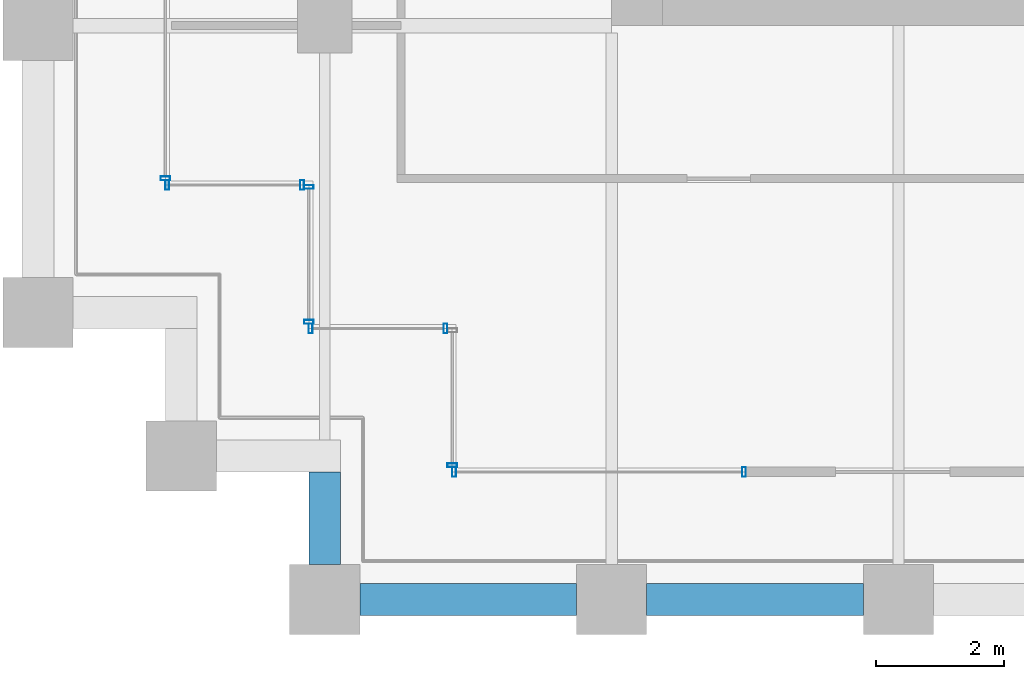
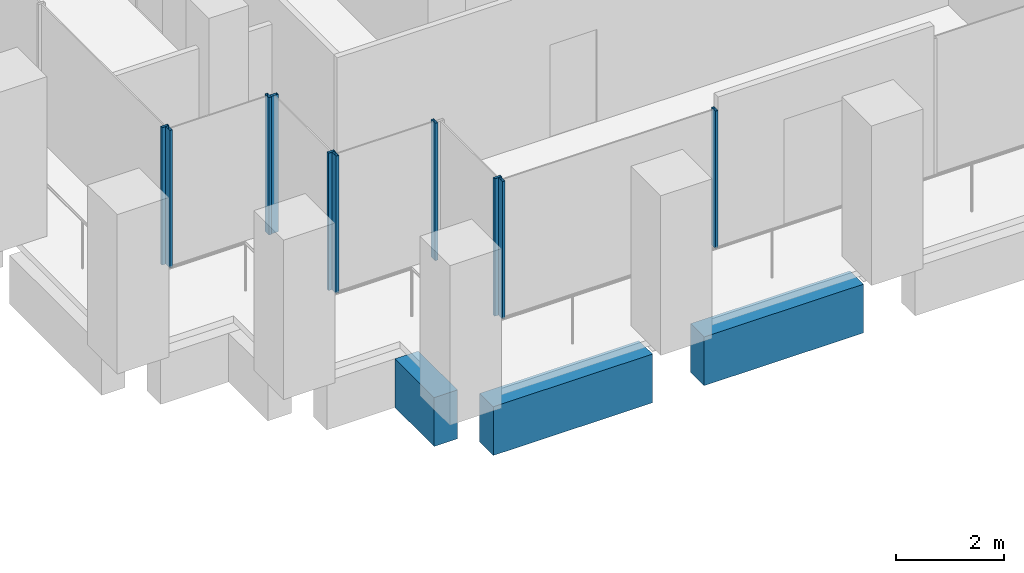
# One storey, part 34 of 56: 10 members, 3 beams, 6 elements without a shape of their own.
"""IFC4 building model written with IfcOpenShell, lengths in metres."""

from ifc_helpers import new_model, si_unit, direction, frame, origin, origin_2d, place, context, subcontext, project, spatial, rectangle, hollow_rectangle, extrude, material, material_profile, profile_set, type_object, element, aggregate, save


model = new_model("IFC4")

# Units and contexts
model_context = context("Model", 3, precision=1e-05, world=origin(), true_north=direction((0.0, 1.0)))
body_context = subcontext(model_context, "Body", "Model", "MODEL_VIEW")
ifc_project = project(units=[si_unit("LENGTHUNIT", "METRE"), si_unit("AREAUNIT", "SQUARE_METRE"), si_unit("VOLUMEUNIT", "CUBIC_METRE"), si_unit("PLANEANGLEUNIT", "RADIAN"), si_unit("MASSUNIT", "GRAM", prefix="KILO")], contexts=[model_context])

# Site, building, storey
site_placement = place(None, origin())
site = spatial("IfcSite", under=ifc_project, at=site_placement, CompositionType="ELEMENT")
building_placement = place(site_placement, origin())
building = spatial("IfcBuilding", under=site, at=building_placement, Name="Altepetl Exchange Towers", CompositionType="ELEMENT")
storey_placement = place(building_placement, frame((0.0, 0.0, 83.39990234375)))
storey = spatial("IfcBuildingStorey", under=building, at=storey_placement, Name="L20", CompositionType="ELEMENT", Elevation=83.39990234375)

# Curtain wall, member
ifc_material_1 = material(Name="Aluminium 6063-T6 glazing", Category="aluminium")
curtain_wall_type = type_object("IfcCurtainWallType", Name="Loggia glazing system", PredefinedType="NOTDEFINED", material=ifc_material_1)
curtain_wall_1_placement = place(storey_placement, origin())
curtain_wall_1 = element("IfcCurtainWall", 1, at=curtain_wall_1_placement, inside=storey, type_object=curtain_wall_type, Name="CW1 run", PredefinedType="NOTDEFINED")
ifc_material_2 = material(Name="Aluminium 6063-T6", Category="aluminium")
ifc_material_profile_1 = material_profile(ifc_material_2, hollow_rectangle(XDim=0.06005859375, YDim=0.14990234375, WallThickness=0.0029296875, at=origin_2d()), Name="Mullion 60x150 aluminium")
ifc_profile_set_1 = profile_set([ifc_material_profile_1], Name="Aluminium 6063-T6")
member_type = type_object("IfcMemberType", Name="Mullion 60x150 aluminium", PredefinedType="MULLION", material=ifc_profile_set_1)
member_1_placement = place(storey_placement, frame((96.5, 33.60498046875, 0.0), z_axis=(0.0, 0.0, 1.0), x_axis=(0.0, -1.0, 0.0)))
member_1 = element("IfcMember", 2, at=member_1_placement, type_object=member_type, Name="MU1 mullion", PredefinedType="MULLION", context=body_context, shape_type="SweptSolid", body=[
    extrude(hollow_rectangle(XDim=0.06005859375, YDim=0.14990234375, WallThickness=0.0029296875, at=origin_2d()), origin(), (0.0, 0.0, 1.0), 3.10009765625),
])
aggregate(curtain_wall_1, [member_1])

# Curtain wall, members
curtain_wall_2_placement = place(storey_placement, origin())
curtain_wall_2 = element("IfcCurtainWall", 3, at=curtain_wall_2_placement, inside=storey, type_object=curtain_wall_type, Name="CW1 run", PredefinedType="NOTDEFINED")
member_2_placement = place(storey_placement, frame((96.530029296875, 33.5, 0.0)))
member_2 = element("IfcMember", 4, at=member_2_placement, type_object=member_type, Name="MU1 mullion", PredefinedType="MULLION", context=body_context, shape_type="SweptSolid", body=[
    extrude(hollow_rectangle(XDim=0.06005859375, YDim=0.14990234375, WallThickness=0.0029296875, at=origin_2d()), origin(), (0.0, 0.0, 1.0), 3.10009765625),
])
member_3_placement = place(storey_placement, frame((98.64501953125, 33.5, 0.0)))
member_3 = element("IfcMember", 5, at=member_3_placement, type_object=member_type, Name="MU1 mullion", PredefinedType="MULLION", context=body_context, shape_type="SweptSolid", body=[
    extrude(hollow_rectangle(XDim=0.06005859375, YDim=0.14990234375, WallThickness=0.0029296875, at=origin_2d()), origin(), (0.0, 0.0, 1.0), 3.10009765625),
])
aggregate(curtain_wall_2, [member_2, member_3])

curtain_wall_3_placement = place(storey_placement, origin())
curtain_wall_3 = element("IfcCurtainWall", 6, at=curtain_wall_3_placement, inside=storey, type_object=curtain_wall_type, Name="CW1 run", PredefinedType="NOTDEFINED")
member_4_placement = place(storey_placement, frame((98.75, 33.469970703125, 0.0), z_axis=(0.0, 0.0, 1.0), x_axis=(0.0, -1.0, 0.0)))
member_4 = element("IfcMember", 7, at=member_4_placement, type_object=member_type, Name="MU1 mullion", PredefinedType="MULLION", context=body_context, shape_type="SweptSolid", body=[
    extrude(hollow_rectangle(XDim=0.06005859375, YDim=0.14990234375, WallThickness=0.0029296875, at=origin_2d()), origin(), (0.0, 0.0, 1.0), 3.10009765625),
])
member_5_placement = place(storey_placement, frame((98.75, 31.35498046875, 0.0), z_axis=(0.0, 0.0, 1.0), x_axis=(0.0, -1.0, 0.0)))
member_5 = element("IfcMember", 8, at=member_5_placement, type_object=member_type, Name="MU1 mullion", PredefinedType="MULLION", context=body_context, shape_type="SweptSolid", body=[
    extrude(hollow_rectangle(XDim=0.06005859375, YDim=0.14990234375, WallThickness=0.0029296875, at=origin_2d()), origin(), (0.0, 0.0, 1.0), 3.10009765625),
])
aggregate(curtain_wall_3, [member_4, member_5])

curtain_wall_4_placement = place(storey_placement, origin())
curtain_wall_4 = element("IfcCurtainWall", 9, at=curtain_wall_4_placement, inside=storey, type_object=curtain_wall_type, Name="CW1 run", PredefinedType="NOTDEFINED")
member_6_placement = place(storey_placement, frame((98.780029296875, 31.25, 0.0)))
member_6 = element("IfcMember", 10, at=member_6_placement, type_object=member_type, Name="MU1 mullion", PredefinedType="MULLION", context=body_context, shape_type="SweptSolid", body=[
    extrude(hollow_rectangle(XDim=0.06005859375, YDim=0.14990234375, WallThickness=0.0029296875, at=origin_2d()), origin(), (0.0, 0.0, 1.0), 3.10009765625),
])
member_7_placement = place(storey_placement, frame((100.89501953125, 31.25, 0.0)))
member_7 = element("IfcMember", 11, at=member_7_placement, type_object=member_type, Name="MU1 mullion", PredefinedType="MULLION", context=body_context, shape_type="SweptSolid", body=[
    extrude(hollow_rectangle(XDim=0.06005859375, YDim=0.14990234375, WallThickness=0.0029296875, at=origin_2d()), origin(), (0.0, 0.0, 1.0), 3.10009765625),
])
aggregate(curtain_wall_4, [member_6, member_7])

# Curtain wall, member
curtain_wall_5_placement = place(storey_placement, origin())
curtain_wall_5 = element("IfcCurtainWall", 12, at=curtain_wall_5_placement, inside=storey, type_object=curtain_wall_type, Name="CW1 run", PredefinedType="NOTDEFINED")
member_8_placement = place(storey_placement, frame((101.0, 29.10498046875, 0.0), z_axis=(0.0, 0.0, 1.0), x_axis=(0.0, -1.0, 0.0)))
member_8 = element("IfcMember", 13, at=member_8_placement, type_object=member_type, Name="MU1 mullion", PredefinedType="MULLION", context=body_context, shape_type="SweptSolid", body=[
    extrude(hollow_rectangle(XDim=0.06005859375, YDim=0.14990234375, WallThickness=0.0029296875, at=origin_2d()), origin(), (0.0, 0.0, 1.0), 3.10009765625),
])
aggregate(curtain_wall_5, [member_8])

# Curtain wall, members
curtain_wall_6_placement = place(storey_placement, origin())
curtain_wall_6 = element("IfcCurtainWall", 14, at=curtain_wall_6_placement, inside=storey, type_object=curtain_wall_type, Name="CW1 run", PredefinedType="NOTDEFINED")
member_9_placement = place(storey_placement, frame((101.030029296875, 29.0, 0.0)))
member_9 = element("IfcMember", 15, at=member_9_placement, type_object=member_type, Name="MU1 mullion", PredefinedType="MULLION", context=body_context, shape_type="SweptSolid", body=[
    extrude(hollow_rectangle(XDim=0.06005859375, YDim=0.14990234375, WallThickness=0.0029296875, at=origin_2d()), origin(), (0.0, 0.0, 1.0), 3.10009765625),
])
member_10_placement = place(storey_placement, frame((105.576171875, 29.0, 0.0)))
member_10 = element("IfcMember", 16, at=member_10_placement, type_object=member_type, Name="MU1 mullion", PredefinedType="MULLION", context=body_context, shape_type="SweptSolid", body=[
    extrude(hollow_rectangle(XDim=0.06005859375, YDim=0.14990234375, WallThickness=0.0029296875, at=origin_2d()), origin(), (0.0, 0.0, 1.0), 3.10009765625),
])
aggregate(curtain_wall_6, [member_9, member_10])

# Beams
ifc_material_3 = material(Name="Concrete C50/60 precast with tezontle facing", Category="concrete")
ifc_material_profile_2 = material_profile(ifc_material_3, rectangle(XDim=0.5, YDim=1.10009765625, at=origin_2d()), Name="500 x 1100")
ifc_profile_set_2 = profile_set([ifc_material_profile_2], Name="Concrete C50/60 precast with tezontle facing")
beam_type = type_object("IfcBeamType", Name="Spandrel beam 500x1100 tezontle", PredefinedType="SPANDREL", material=ifc_profile_set_2)
for number, where, z_axis, x_axis, name in (
    (17, (99.550048828125, 27.0, -0.699951171875), (1.0, 0.0, 0.0), (0.0, 1.0, 0.0), "sp:B:L20:000"),
    (18, (104.050048828125, 27.0, -0.699951171875), (1.0, 0.0, 0.0), (0.0, 1.0, 0.0), "sp:B:L20:001"),
):
    element("IfcBeam", number, at=place(storey_placement, frame(where, z_axis=z_axis, x_axis=x_axis)), inside=storey, type_object=beam_type, Name=name, PredefinedType="SPANDREL", context=body_context, shape_type="SweptSolid", body=[
        extrude(rectangle(XDim=0.5, YDim=1.10009765625, at=origin_2d()), origin(), (0.0, 0.0, 1.0), 3.39990234375),
    ])
beam_placement = place(storey_placement, frame((99.0, 29.0, -0.699951171875), z_axis=(0.0, -1.0, 0.0), x_axis=(1.0, 0.0, 0.0)))
element("IfcBeam", 19, at=beam_placement, inside=storey, type_object=beam_type, Name="sp:B:L20:035", PredefinedType="SPANDREL", context=body_context, shape_type="SweptSolid", body=[
    extrude(rectangle(XDim=0.5, YDim=1.10009765625, at=origin_2d()), origin(), (0.0, 0.0, 1.0), 1.449951171875),
])

save(model, "model.ifc")
